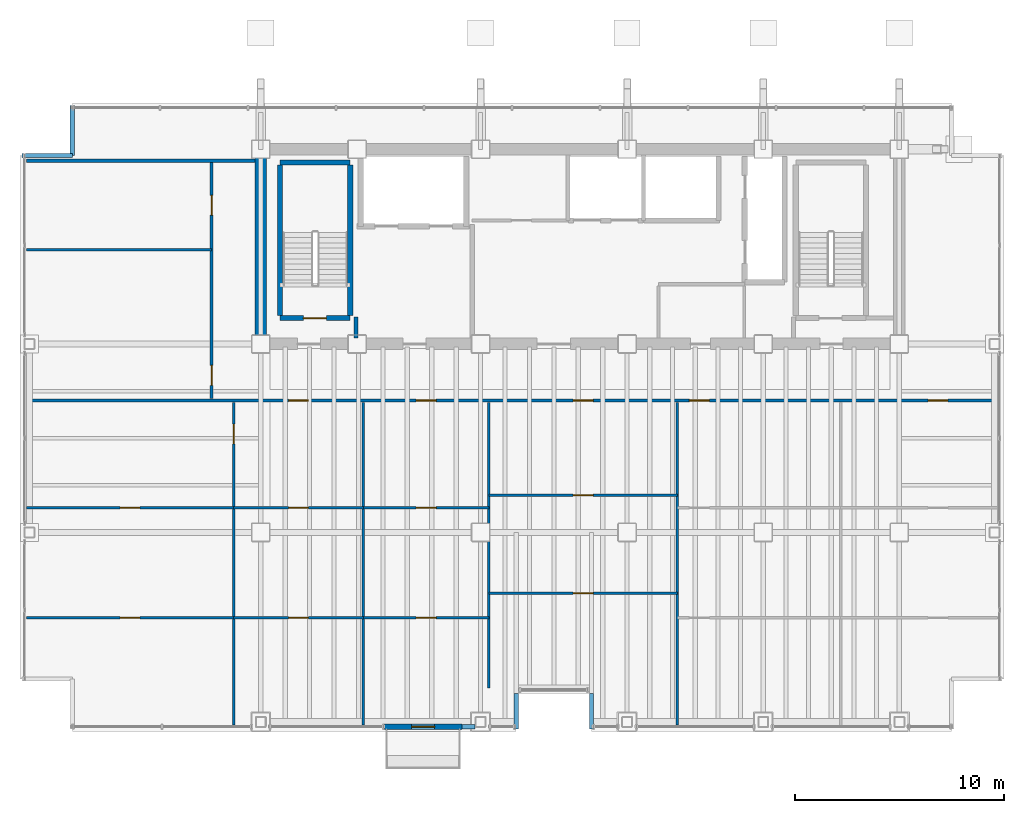
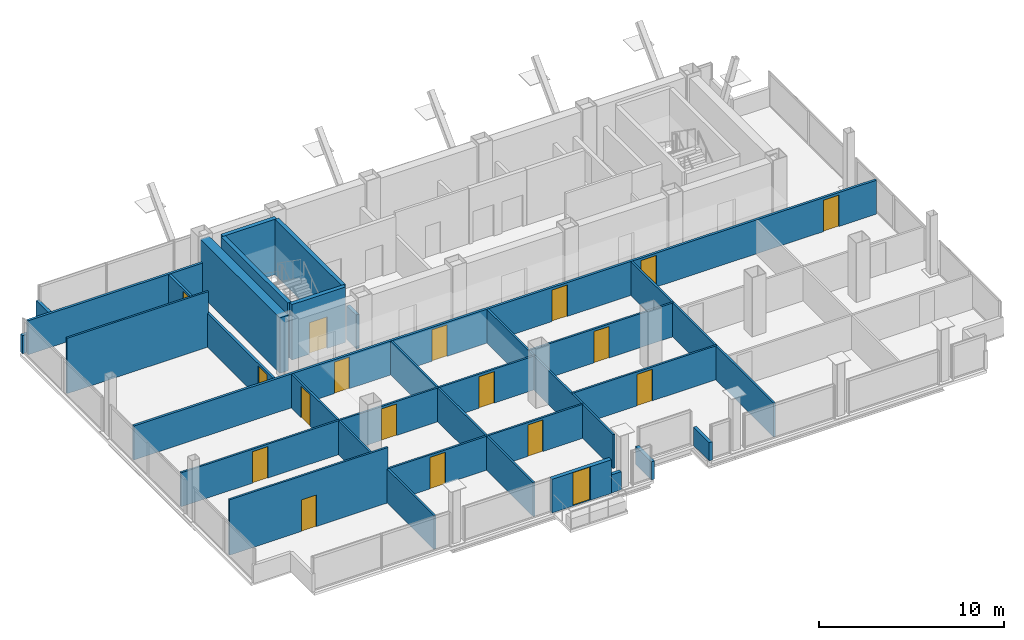
# One storey, part 19 of 22: 28 walls, 18 doors, 18 openings.
"""IFC4 building model written with IfcOpenShell, lengths in metres."""

from ifc_helpers import new_model, si_unit, direction, frame, frame_2d, origin, place, context, subcontext, project, spatial, rectangle, extrude, material, layer, layer_set, type_object, element, fill, save


model = new_model("IFC4")

# Units and contexts
model_context = context("Model", 3, precision=1e-05, world=origin(), true_north=direction((0.0, 1.0)))
body_context = subcontext(model_context, "Body", "Model", "MODEL_VIEW")
ifc_project = project(units=[si_unit("LENGTHUNIT", "METRE"), si_unit("AREAUNIT", "SQUARE_METRE"), si_unit("VOLUMEUNIT", "CUBIC_METRE"), si_unit("PLANEANGLEUNIT", "RADIAN"), si_unit("MASSUNIT", "GRAM", prefix="KILO")], contexts=[model_context])

# Site, building, storey
site_placement = place(None, origin())
site = spatial("IfcSite", under=ifc_project, at=site_placement, CompositionType="ELEMENT")
building_placement = place(site_placement, origin())
building = spatial("IfcBuilding", under=site, at=building_placement, Name="Noeulbin Bourse Tower", CompositionType="ELEMENT")
storey_placement = place(building_placement, frame((0.0, 0.0, 138.300048828125)))
storey = spatial("IfcBuildingStorey", under=building, at=storey_placement, Name="L34", CompositionType="ELEMENT", Elevation=138.300048828125)

# Wall
ifc_material_1 = material(Name="Concrete C60/75", Category="concrete")
ifc_layer_1 = layer(ifc_material_1, 0.550048828125)
ifc_layer_set_1 = layer_set([ifc_layer_1], Name="Concrete C60/75")
wall_type_1 = type_object("IfcWallType", Name="WAL-CORE-550", PredefinedType="SHEAR", material=ifc_layer_set_1)
wall_1_placement = place(storey_placement, frame((13.5, 29.35009765625, 0.0), z_axis=(0.0, 0.0, 1.0), x_axis=(0.0, 1.0, 0.0)))
element("IfcWall", 1, at=wall_1_placement, inside=storey, type_object=wall_type_1, Name="Rear Core West Shear Wall L34", PredefinedType="SHEAR", context=body_context, shape_type="SweptSolid", body=[
    extrude(rectangle(XDim=8.599853515625, YDim=0.550048828125, at=frame_2d((4.2998046875, 0.0))), origin(), (0.0, 0.0, 1.0), 3.659912109375),
])

# Wall, opening, door
ifc_material_2 = material(Name="Precast Concrete C40/50", Category="concrete")
ifc_layer_2 = layer(ifc_material_2, 0.25)
ifc_layer_set_2 = layer_set([ifc_layer_2], Name="Precast Concrete C40/50")
wall_type_2 = type_object("IfcWallType", Name="WAL-EXT-250", PredefinedType="STANDARD", material=ifc_layer_set_2)
wall_2_placement = place(storey_placement, frame((19.39990234375, 10.719970703125, 0.0), z_axis=(0.0, 0.0, 1.0), x_axis=(1.0, 0.0, 0.0)))
wall_2 = element("IfcWall", 2, at=wall_2_placement, inside=storey, type_object=wall_type_2, Name="Balcony Threshold Wall L34", PredefinedType="STANDARD", context=body_context, shape_type="SweptSolid", body=[
    extrude(rectangle(XDim=3.7001953125, YDim=0.25, at=frame_2d((1.85009765625, 0.0))), origin(), (0.0, 0.0, 1.0), 2.219970703125),
])
opening_1_placement = place(wall_2_placement, frame((1.300048828125, 0.0, 0.0)))
opening_1 = element("IfcOpeningElement", 3, at=opening_1_placement, cuts=wall_2, Name="Opening BD-11", PredefinedType="OPENING", context=body_context, shape_type="SweptSolid", body=[
    extrude(rectangle(XDim=1.10009765625, YDim=2.199951171875, at=frame_2d((0.550048828125, 1.10009765625))), frame((0.0, 0.135009765625, 0.0), z_axis=(0.0, -1.0, 0.0), x_axis=(1.0, 0.0, 0.0)), (0.0, 0.0, 1.0), 0.27001953125),
])
ifc_material_3 = material(Name="Thermally Broken Aluminium Framed Glass", Category="aluminium")
door_type_1 = type_object("IfcDoorType", Name="DR-BAL-1100", OperationType="SINGLE_SWING_LEFT", PredefinedType="DOOR", material=ifc_material_3)
door_1_placement = place(opening_1_placement, origin())
door_1 = element("IfcDoor", 4, at=door_1_placement, inside=storey, type_object=door_type_1, Name="Tree-Balcony Access Door BD-L34", OperationType="SINGLE_SWING_RIGHT", OverallHeight=2.199951171875, OverallWidth=1.10009765625, PredefinedType="DOOR", context=body_context, shape_type="SweptSolid", body=[
    extrude(rectangle(XDim=1.10009765625, YDim=2.199951171875, at=frame_2d((0.550048828125, 1.10009765625))), frame((0.0, 0.02490234375, 0.0), z_axis=(0.0, -1.0, 0.0), x_axis=(1.0, 0.0, 0.0)), (0.0, 0.0, 1.0), 0.050048828125),
])
fill(opening_1, door_1)

# Walls
ifc_material_4 = material(Name="Concrete C40/50", Category="concrete")
ifc_layer_3 = layer(ifc_material_4, 0.199951171875)
ifc_layer_set_3 = layer_set([ifc_layer_3], Name="Concrete C40/50")
wall_type_3 = type_object("IfcWallType", Name="WAL-FIRE-200", PredefinedType="STANDARD", material=ifc_layer_set_3)
wall_3_placement = place(storey_placement, frame((18.050048828125, 29.284912109375, 0.0), z_axis=(0.0, 0.0, 1.0), x_axis=(0.0, 1.0, 0.0)))
element("IfcWall", 5, at=wall_3_placement, inside=storey, type_object=wall_type_3, Name="Interior Partition Wall L34-19", PredefinedType="STANDARD", context=body_context, shape_type="SweptSolid", body=[
    extrude(rectangle(XDim=1.01513671875, YDim=0.199951171875, at=frame_2d((0.507568359375, 0.0))), origin(), (0.0, 0.0, 1.0), 2.239990234375),
])
ifc_layer_4 = layer(ifc_material_4, 0.199951171875)
ifc_layer_set_4 = layer_set([ifc_layer_4], Name="Concrete C40/50")
wall_type_4 = type_object("IfcWallType", Name="WAL-PAR-200", PredefinedType="PARAPET", material=ifc_layer_set_4)
wall_4_placement = place(storey_placement, frame((23.10009765625, 10.719970703125, 0.0), z_axis=(0.0, 0.0, 1.0), x_axis=(1.0, 0.0, 0.0)))
element("IfcWall", 6, at=wall_4_placement, inside=storey, type_object=wall_type_4, Name="Perimeter Pier Spandrel Parapet L34-S1", PredefinedType="PARAPET", context=body_context, shape_type="SweptSolid", body=[
    extrude(rectangle(XDim=0.6298828125, YDim=0.199951171875, at=frame_2d((0.31494140625, 0.0))), origin(), (0.0, 0.0, 1.0), 1.199951171875),
])
for number, where, z_axis, x_axis, name in (
    (7, (2.10009765625, 38.0, 0.0), (0.0, 0.0, 1.0), (1.0, 0.0, 0.0), "Corner Notch Parapet L34-NW1"),
    (8, (4.5, 38.0, 0.0), (0.0, 0.0, 1.0), (0.0, 1.0, 0.0), "Corner Notch Parapet L34-NW2"),
):
    element("IfcWall", number, at=place(storey_placement, frame(where, z_axis=z_axis, x_axis=x_axis)), inside=storey, type_object=wall_type_4, Name=name, PredefinedType="PARAPET", context=body_context, shape_type="SweptSolid", body=[
        extrude(rectangle(XDim=2.39990234375, YDim=0.199951171875, at=frame_2d((1.199951171875, 0.0))), origin(), (0.0, 0.0, 1.0), 1.199951171875),
    ])
for number, where, z_axis, x_axis, name in (
    (9, (25.699951171875, 10.60009765625, 0.0), (0.0, 0.0, 1.0), (0.0, 1.0, 0.0), "Sky-Garden Recess Parapet L34-W"),
    (10, (29.300048828125, 12.300048828125, 0.0), (0.0, 0.0, 1.0), (0.0, -1.0, 0.0), "Sky-Garden Recess Parapet L34-E"),
):
    element("IfcWall", number, at=place(storey_placement, frame(where, z_axis=z_axis, x_axis=x_axis)), inside=storey, type_object=wall_type_4, Name=name, PredefinedType="PARAPET", context=body_context, shape_type="SweptSolid", body=[
        extrude(rectangle(XDim=1.699951171875, YDim=0.199951171875, at=frame_2d((0.85009765625, 0.0))), origin(), (0.0, 0.0, 1.0), 1.199951171875),
    ])

# Wall, opening, door
ifc_material_5 = material(Name="Steel Stud Gypsum Partition", Category="steel")
ifc_layer_5 = layer(ifc_material_5, 0.1201171875)
ifc_layer_set_5 = layer_set([ifc_layer_5], Name="Steel Stud Gypsum Partition")
wall_type_5 = type_object("IfcWallType", Name="WAL-PRT-120", PredefinedType="PARTITIONING", material=ifc_layer_set_5)
wall_5_placement = place(storey_placement, frame((2.31005859375, 21.18798828125, 0.0), z_axis=(0.0, 0.0, 1.0), x_axis=(1.0, 0.0, 0.0)))
wall_5 = element("IfcWall", 11, at=wall_5_placement, inside=storey, type_object=wall_type_5, Name="Interior Partition Wall L34-06", PredefinedType="PARTITIONING", context=body_context, shape_type="SweptSolid", body=[
    extrude(rectangle(XDim=9.889892578125, YDim=0.1201171875, at=frame_2d((4.94482421875, 0.0))), origin(), (0.0, 0.0, 1.0), 2.239990234375),
])
opening_2_placement = place(wall_5_placement, frame((4.469970703125, 0.0, 0.0)))
opening_2 = element("IfcOpeningElement", 12, at=opening_2_placement, cuts=wall_5, Name="Opening ID-09", PredefinedType="OPENING", context=body_context, shape_type="SweptSolid", body=[
    extrude(rectangle(XDim=0.949951171875, YDim=2.080078125, at=frame_2d((0.47509765625, 1.0400390625))), frame((0.0, 0.070068359375, 0.0), z_axis=(0.0, -1.0, 0.0), x_axis=(1.0, 0.0, 0.0)), (0.0, 0.0, 1.0), 0.14013671875),
])
ifc_material_6 = material(Name="Acoustic Solid-Core Timber", Category="wood")
door_type_2 = type_object("IfcDoorType", Name="DR-SINGLE-950", OperationType="SINGLE_SWING_LEFT", PredefinedType="DOOR", material=ifc_material_6)
door_2_placement = place(opening_2_placement, origin())
door_2 = element("IfcDoor", 13, at=door_2_placement, inside=storey, type_object=door_type_2, Name="Interior Door L34-07", OperationType="SINGLE_SWING_RIGHT", OverallHeight=2.080078125, OverallWidth=0.949951171875, PredefinedType="DOOR", context=body_context, shape_type="SweptSolid", body=[
    extrude(rectangle(XDim=0.949951171875, YDim=2.080078125, at=frame_2d((0.47509765625, 1.0400390625))), frame((0.0, 0.02490234375, 0.0), z_axis=(0.0, -1.0, 0.0), x_axis=(1.0, 0.0, 0.0)), (0.0, 0.0, 1.0), 0.050048828125),
])
fill(opening_2, door_2)

wall_6_placement = place(storey_placement, frame((2.31005859375, 15.922119140625, 0.0), z_axis=(0.0, 0.0, 1.0), x_axis=(1.0, 0.0, 0.0)))
wall_6 = element("IfcWall", 14, at=wall_6_placement, inside=storey, type_object=wall_type_5, Name="Interior Partition Wall L34-07", PredefinedType="PARTITIONING", context=body_context, shape_type="SweptSolid", body=[
    extrude(rectangle(XDim=9.889892578125, YDim=0.1201171875, at=frame_2d((4.94482421875, 0.0))), origin(), (0.0, 0.0, 1.0), 3.659912109375),
])
opening_3_placement = place(wall_6_placement, frame((4.469970703125, 0.0, 0.0)))
opening_3 = element("IfcOpeningElement", 15, at=opening_3_placement, cuts=wall_6, Name="Opening ID-09", PredefinedType="OPENING", context=body_context, shape_type="SweptSolid", body=[
    extrude(rectangle(XDim=0.949951171875, YDim=2.080078125, at=frame_2d((0.47509765625, 1.0400390625))), frame((0.0, 0.070068359375, 0.0), z_axis=(0.0, -1.0, 0.0), x_axis=(1.0, 0.0, 0.0)), (0.0, 0.0, 1.0), 0.14013671875),
])
door_3_placement = place(opening_3_placement, origin())
door_3 = element("IfcDoor", 16, at=door_3_placement, inside=storey, type_object=door_type_2, Name="Interior Door L34-08", OperationType="SINGLE_SWING_LEFT", OverallHeight=2.080078125, OverallWidth=0.949951171875, PredefinedType="DOOR", context=body_context, shape_type="SweptSolid", body=[
    extrude(rectangle(XDim=0.949951171875, YDim=2.080078125, at=frame_2d((0.47509765625, 1.0400390625))), frame((0.0, 0.02490234375, 0.0), z_axis=(0.0, -1.0, 0.0), x_axis=(1.0, 0.0, 0.0)), (0.0, 0.0, 1.0), 0.050048828125),
])
fill(opening_3, door_3)

wall_7_placement = place(storey_placement, frame((12.199951171875, 21.18798828125, 0.0), z_axis=(0.0, 0.0, 1.0), x_axis=(1.0, 0.0, 0.0)))
wall_7 = element("IfcWall", 17, at=wall_7_placement, inside=storey, type_object=wall_type_5, Name="Interior Partition Wall L34-08", PredefinedType="PARTITIONING", context=body_context, shape_type="SweptSolid", body=[
    extrude(rectangle(XDim=6.199951171875, YDim=0.1201171875, at=frame_2d((3.10009765625, 0.0))), origin(), (0.0, 0.0, 1.0), 2.239990234375),
])
opening_4_placement = place(wall_7_placement, frame((2.625, 0.0, 0.0)))
opening_4 = element("IfcOpeningElement", 18, at=opening_4_placement, cuts=wall_7, Name="Opening ID-09", PredefinedType="OPENING", context=body_context, shape_type="SweptSolid", body=[
    extrude(rectangle(XDim=0.949951171875, YDim=2.080078125, at=frame_2d((0.47509765625, 1.0400390625))), frame((0.0, 0.070068359375, 0.0), z_axis=(0.0, -1.0, 0.0), x_axis=(1.0, 0.0, 0.0)), (0.0, 0.0, 1.0), 0.14013671875),
])
door_4_placement = place(opening_4_placement, origin())
door_4 = element("IfcDoor", 19, at=door_4_placement, inside=storey, type_object=door_type_2, Name="Interior Door L34-10", OperationType="SINGLE_SWING_LEFT", OverallHeight=2.080078125, OverallWidth=0.949951171875, PredefinedType="DOOR", context=body_context, shape_type="SweptSolid", body=[
    extrude(rectangle(XDim=0.949951171875, YDim=2.080078125, at=frame_2d((0.47509765625, 1.0400390625))), frame((0.0, 0.02490234375, 0.0), z_axis=(0.0, -1.0, 0.0), x_axis=(1.0, 0.0, 0.0)), (0.0, 0.0, 1.0), 0.050048828125),
])
fill(opening_4, door_4)

wall_8_placement = place(storey_placement, frame((12.199951171875, 15.922119140625, 0.0), z_axis=(0.0, 0.0, 1.0), x_axis=(1.0, 0.0, 0.0)))
wall_8 = element("IfcWall", 20, at=wall_8_placement, inside=storey, type_object=wall_type_5, Name="Interior Partition Wall L34-09", PredefinedType="PARTITIONING", context=body_context, shape_type="SweptSolid", body=[
    extrude(rectangle(XDim=6.199951171875, YDim=0.1201171875, at=frame_2d((3.10009765625, 0.0))), origin(), (0.0, 0.0, 1.0), 2.239990234375),
])
opening_5_placement = place(wall_8_placement, frame((2.625, 0.0, 0.0)))
opening_5 = element("IfcOpeningElement", 21, at=opening_5_placement, cuts=wall_8, Name="Opening ID-09", PredefinedType="OPENING", context=body_context, shape_type="SweptSolid", body=[
    extrude(rectangle(XDim=0.949951171875, YDim=2.080078125, at=frame_2d((0.47509765625, 1.0400390625))), frame((0.0, 0.070068359375, 0.0), z_axis=(0.0, -1.0, 0.0), x_axis=(1.0, 0.0, 0.0)), (0.0, 0.0, 1.0), 0.14013671875),
])
door_5_placement = place(opening_5_placement, origin())
door_5 = element("IfcDoor", 22, at=door_5_placement, inside=storey, type_object=door_type_2, Name="Interior Door L34-11", OperationType="SINGLE_SWING_RIGHT", OverallHeight=2.080078125, OverallWidth=0.949951171875, PredefinedType="DOOR", context=body_context, shape_type="SweptSolid", body=[
    extrude(rectangle(XDim=0.949951171875, YDim=2.080078125, at=frame_2d((0.47509765625, 1.0400390625))), frame((0.0, 0.02490234375, 0.0), z_axis=(0.0, -1.0, 0.0), x_axis=(1.0, 0.0, 0.0)), (0.0, 0.0, 1.0), 0.050048828125),
])
fill(opening_5, door_5)

wall_9_placement = place(storey_placement, frame((18.39990234375, 21.18798828125, 0.0), z_axis=(0.0, 0.0, 1.0), x_axis=(1.0, 0.0, 0.0)))
wall_9 = element("IfcWall", 23, at=wall_9_placement, inside=storey, type_object=wall_type_5, Name="Interior Partition Wall L34-10", PredefinedType="PARTITIONING", context=body_context, shape_type="SweptSolid", body=[
    extrude(rectangle(XDim=6.0, YDim=0.1201171875, at=frame_2d((3.0, 0.0))), origin(), (0.0, 0.0, 1.0), 2.239990234375),
])
opening_6_placement = place(wall_9_placement, frame((2.52490234375, 0.0, 0.0)))
opening_6 = element("IfcOpeningElement", 24, at=opening_6_placement, cuts=wall_9, Name="Opening ID-09", PredefinedType="OPENING", context=body_context, shape_type="SweptSolid", body=[
    extrude(rectangle(XDim=0.949951171875, YDim=2.080078125, at=frame_2d((0.47509765625, 1.0400390625))), frame((0.0, 0.070068359375, 0.0), z_axis=(0.0, -1.0, 0.0), x_axis=(1.0, 0.0, 0.0)), (0.0, 0.0, 1.0), 0.14013671875),
])
door_6_placement = place(opening_6_placement, origin())
door_6 = element("IfcDoor", 25, at=door_6_placement, inside=storey, type_object=door_type_2, Name="Interior Door L34-13", OperationType="SINGLE_SWING_RIGHT", OverallHeight=2.080078125, OverallWidth=0.949951171875, PredefinedType="DOOR", context=body_context, shape_type="SweptSolid", body=[
    extrude(rectangle(XDim=0.949951171875, YDim=2.080078125, at=frame_2d((0.47509765625, 1.0400390625))), frame((0.0, 0.02490234375, 0.0), z_axis=(0.0, -1.0, 0.0), x_axis=(1.0, 0.0, 0.0)), (0.0, 0.0, 1.0), 0.050048828125),
])
fill(opening_6, door_6)

wall_10_placement = place(storey_placement, frame((18.39990234375, 15.922119140625, 0.0), z_axis=(0.0, 0.0, 1.0), x_axis=(1.0, 0.0, 0.0)))
wall_10 = element("IfcWall", 26, at=wall_10_placement, inside=storey, type_object=wall_type_5, Name="Interior Partition Wall L34-11", PredefinedType="PARTITIONING", context=body_context, shape_type="SweptSolid", body=[
    extrude(rectangle(XDim=6.0, YDim=0.1201171875, at=frame_2d((3.0, 0.0))), origin(), (0.0, 0.0, 1.0), 2.239990234375),
])
opening_7_placement = place(wall_10_placement, frame((2.52490234375, 0.0, 0.0)))
opening_7 = element("IfcOpeningElement", 27, at=opening_7_placement, cuts=wall_10, Name="Opening ID-09", PredefinedType="OPENING", context=body_context, shape_type="SweptSolid", body=[
    extrude(rectangle(XDim=0.949951171875, YDim=2.080078125, at=frame_2d((0.47509765625, 1.0400390625))), frame((0.0, 0.070068359375, 0.0), z_axis=(0.0, -1.0, 0.0), x_axis=(1.0, 0.0, 0.0)), (0.0, 0.0, 1.0), 0.14013671875),
])
door_7_placement = place(opening_7_placement, origin())
door_7 = element("IfcDoor", 28, at=door_7_placement, inside=storey, type_object=door_type_2, Name="Interior Door L34-14", OperationType="SINGLE_SWING_LEFT", OverallHeight=2.080078125, OverallWidth=0.949951171875, PredefinedType="DOOR", context=body_context, shape_type="SweptSolid", body=[
    extrude(rectangle(XDim=0.949951171875, YDim=2.080078125, at=frame_2d((0.47509765625, 1.0400390625))), frame((0.0, 0.02490234375, 0.0), z_axis=(0.0, -1.0, 0.0), x_axis=(1.0, 0.0, 0.0)), (0.0, 0.0, 1.0), 0.050048828125),
])
fill(opening_7, door_7)

wall_11_placement = place(storey_placement, frame((24.39990234375, 21.76904296875, 0.0), z_axis=(0.0, 0.0, 1.0), x_axis=(1.0, 0.0, 0.0)))
wall_11 = element("IfcWall", 29, at=wall_11_placement, inside=storey, type_object=wall_type_5, Name="Interior Partition Wall L34-12", PredefinedType="PARTITIONING", context=body_context, shape_type="SweptSolid", body=[
    extrude(rectangle(XDim=9.0, YDim=0.1201171875, at=frame_2d((4.5, 0.0))), origin(), (0.0, 0.0, 1.0), 2.239990234375),
])
opening_8_placement = place(wall_11_placement, frame((4.02490234375, 0.0, 0.0)))
opening_8 = element("IfcOpeningElement", 30, at=opening_8_placement, cuts=wall_11, Name="Opening ID-09", PredefinedType="OPENING", context=body_context, shape_type="SweptSolid", body=[
    extrude(rectangle(XDim=0.949951171875, YDim=2.080078125, at=frame_2d((0.47509765625, 1.0400390625))), frame((0.0, 0.070068359375, 0.0), z_axis=(0.0, -1.0, 0.0), x_axis=(1.0, 0.0, 0.0)), (0.0, 0.0, 1.0), 0.14013671875),
])
door_8_placement = place(opening_8_placement, origin())
door_8 = element("IfcDoor", 31, at=door_8_placement, inside=storey, type_object=door_type_2, Name="Interior Door L34-16", OperationType="SINGLE_SWING_LEFT", OverallHeight=2.080078125, OverallWidth=0.949951171875, PredefinedType="DOOR", context=body_context, shape_type="SweptSolid", body=[
    extrude(rectangle(XDim=0.949951171875, YDim=2.080078125, at=frame_2d((0.47509765625, 1.0400390625))), frame((0.0, 0.02490234375, 0.0), z_axis=(0.0, -1.0, 0.0), x_axis=(1.0, 0.0, 0.0)), (0.0, 0.0, 1.0), 0.050048828125),
])
fill(opening_8, door_8)

wall_12_placement = place(storey_placement, frame((24.39990234375, 17.10107421875, 0.0), z_axis=(0.0, 0.0, 1.0), x_axis=(1.0, 0.0, 0.0)))
wall_12 = element("IfcWall", 32, at=wall_12_placement, inside=storey, type_object=wall_type_5, Name="Interior Partition Wall L34-13", PredefinedType="PARTITIONING", context=body_context, shape_type="SweptSolid", body=[
    extrude(rectangle(XDim=9.0, YDim=0.1201171875, at=frame_2d((4.5, 0.0))), origin(), (0.0, 0.0, 1.0), 2.239990234375),
])
opening_9_placement = place(wall_12_placement, frame((4.02490234375, 0.0, 0.0)))
opening_9 = element("IfcOpeningElement", 33, at=opening_9_placement, cuts=wall_12, Name="Opening ID-09", PredefinedType="OPENING", context=body_context, shape_type="SweptSolid", body=[
    extrude(rectangle(XDim=0.949951171875, YDim=2.080078125, at=frame_2d((0.47509765625, 1.0400390625))), frame((0.0, 0.070068359375, 0.0), z_axis=(0.0, -1.0, 0.0), x_axis=(1.0, 0.0, 0.0)), (0.0, 0.0, 1.0), 0.14013671875),
])
door_9_placement = place(opening_9_placement, origin())
door_9 = element("IfcDoor", 34, at=door_9_placement, inside=storey, type_object=door_type_2, Name="Interior Door L34-17", OperationType="SINGLE_SWING_RIGHT", OverallHeight=2.080078125, OverallWidth=0.949951171875, PredefinedType="DOOR", context=body_context, shape_type="SweptSolid", body=[
    extrude(rectangle(XDim=0.949951171875, YDim=2.080078125, at=frame_2d((0.47509765625, 1.0400390625))), frame((0.0, 0.02490234375, 0.0), z_axis=(0.0, -1.0, 0.0), x_axis=(1.0, 0.0, 0.0)), (0.0, 0.0, 1.0), 0.050048828125),
])
fill(opening_9, door_9)

# Wall
wall_13_placement = place(storey_placement, frame((2.31005859375, 33.5, 0.0), z_axis=(0.0, 0.0, 1.0), x_axis=(1.0, 0.0, 0.0)))
element("IfcWall", 35, at=wall_13_placement, inside=storey, type_object=wall_type_5, Name="Interior Partition Wall L34-18", PredefinedType="PARTITIONING", context=body_context, shape_type="SweptSolid", body=[
    extrude(rectangle(XDim=8.83984375, YDim=0.1201171875, at=frame_2d((4.419921875, 0.0))), origin(), (0.0, 0.0, 1.0), 3.659912109375),
])

# Wall, opening, door
wall_14_placement = place(storey_placement, frame((12.199951171875, 10.81005859375, 0.0), z_axis=(0.0, 0.0, 1.0), x_axis=(0.0, 1.0, 0.0)))
wall_14 = element("IfcWall", 36, at=wall_14_placement, inside=storey, type_object=wall_type_5, Name="Interior Partition Wall L34-25", PredefinedType="PARTITIONING", context=body_context, shape_type="SweptSolid", body=[
    extrude(rectangle(XDim=15.405029296875, YDim=0.1201171875, at=frame_2d((7.70263671875, 0.0))), origin(), (0.0, 0.0, 1.0), 2.239990234375),
])
opening_10_placement = place(wall_14_placement, frame((13.4150390625, 0.0, 0.0)))
opening_10 = element("IfcOpeningElement", 37, at=opening_10_placement, cuts=wall_14, Name="Opening ID-09", PredefinedType="OPENING", context=body_context, shape_type="SweptSolid", body=[
    extrude(rectangle(XDim=0.949951171875, YDim=2.080078125, at=frame_2d((0.47509765625, 1.0400390625))), frame((0.0, 0.070068359375, 0.0), z_axis=(0.0, -1.0, 0.0), x_axis=(1.0, 0.0, 0.0)), (0.0, 0.0, 1.0), 0.14013671875),
])
door_10_placement = place(opening_10_placement, origin())
door_10 = element("IfcDoor", 38, at=door_10_placement, inside=storey, type_object=door_type_2, Name="Interior Door L34-09", OperationType="SINGLE_SWING_RIGHT", OverallHeight=2.080078125, OverallWidth=0.949951171875, PredefinedType="DOOR", context=body_context, shape_type="SweptSolid", body=[
    extrude(rectangle(XDim=0.949951171875, YDim=2.080078125, at=frame_2d((0.47509765625, 1.0400390625))), frame((0.0, 0.02490234375, 0.0), z_axis=(0.0, -1.0, 0.0), x_axis=(1.0, 0.0, 0.0)), (0.0, 0.0, 1.0), 0.050048828125),
])
fill(opening_10, door_10)

# Walls
wall_15_placement = place(storey_placement, frame((18.39990234375, 10.81005859375, 0.0), z_axis=(0.0, 0.0, 1.0), x_axis=(0.0, 1.0, 0.0)))
element("IfcWall", 39, at=wall_15_placement, inside=storey, type_object=wall_type_5, Name="Interior Partition Wall L34-26", PredefinedType="PARTITIONING", context=body_context, shape_type="SweptSolid", body=[
    extrude(rectangle(XDim=15.405029296875, YDim=0.1201171875, at=frame_2d((7.70263671875, 0.0))), origin(), (0.0, 0.0, 1.0), 2.239990234375),
])
wall_16_placement = place(storey_placement, frame((24.39990234375, 12.570068359375, 0.0), z_axis=(0.0, 0.0, 1.0), x_axis=(0.0, 1.0, 0.0)))
element("IfcWall", 40, at=wall_16_placement, inside=storey, type_object=wall_type_5, Name="Interior Partition Wall L34-27", PredefinedType="PARTITIONING", context=body_context, shape_type="SweptSolid", body=[
    extrude(rectangle(XDim=13.64501953125, YDim=0.1201171875, at=frame_2d((6.822509765625, 0.0))), origin(), (0.0, 0.0, 1.0), 2.239990234375),
])
wall_17_placement = place(storey_placement, frame((33.39990234375, 10.81005859375, 0.0), z_axis=(0.0, 0.0, 1.0), x_axis=(0.0, 1.0, 0.0)))
element("IfcWall", 41, at=wall_17_placement, inside=storey, type_object=wall_type_5, Name="Interior Partition Wall L34-28", PredefinedType="PARTITIONING", context=body_context, shape_type="SweptSolid", body=[
    extrude(rectangle(XDim=15.405029296875, YDim=0.1201171875, at=frame_2d((7.70263671875, 0.0))), origin(), (0.0, 0.0, 1.0), 2.239990234375),
])

# Wall, openings, doors
ifc_material_7 = material(Name="Steel Stud Acoustic Gypsum Board", Category="steel")
ifc_layer_6 = layer(ifc_material_7, 0.14990234375)
ifc_layer_set_6 = layer_set([ifc_layer_6], Name="Steel Stud Acoustic Gypsum Board")
wall_type_6 = type_object("IfcWallType", Name="WAL-PRT-150", PredefinedType="PARTITIONING", material=ifc_layer_set_6)
wall_18_placement = place(storey_placement, frame((2.31005859375, 26.300048828125, 0.0), z_axis=(0.0, 0.0, 1.0), x_axis=(1.0, 0.0, 0.0)))
wall_18 = element("IfcWall", 42, at=wall_18_placement, inside=storey, type_object=wall_type_6, Name="Interior Partition Wall L34-04", PredefinedType="PARTITIONING", context=body_context, shape_type="SweptSolid", body=[
    extrude(rectangle(XDim=46.3798828125, YDim=0.14990234375, at=frame_2d((23.18994140625, 0.0))), origin(), (0.0, 0.0, 1.0), 2.239990234375),
])
opening_11_placement = place(wall_18_placement, frame((12.514892578125, 0.0, 0.0)))
opening_11 = element("IfcOpeningElement", 43, at=opening_11_placement, cuts=wall_18, Name="Opening ID-09", PredefinedType="OPENING", context=body_context, shape_type="SweptSolid", body=[
    extrude(rectangle(XDim=0.949951171875, YDim=2.080078125, at=frame_2d((0.47509765625, 1.0400390625))), frame((0.0, 0.0849609375, 0.0), z_axis=(0.0, -1.0, 0.0), x_axis=(1.0, 0.0, 0.0)), (0.0, 0.0, 1.0), 0.169921875),
])
opening_12_placement = place(wall_18_placement, frame((18.614990234375, 0.0, 0.0)))
opening_12 = element("IfcOpeningElement", 44, at=opening_12_placement, cuts=wall_18, Name="Opening ID-09", PredefinedType="OPENING", context=body_context, shape_type="SweptSolid", body=[
    extrude(rectangle(XDim=0.949951171875, YDim=2.080078125, at=frame_2d((0.47509765625, 1.0400390625))), frame((0.0, 0.0849609375, 0.0), z_axis=(0.0, -1.0, 0.0), x_axis=(1.0, 0.0, 0.0)), (0.0, 0.0, 1.0), 0.169921875),
])
opening_13_placement = place(wall_18_placement, frame((26.114990234375, 0.0, 0.0)))
opening_13 = element("IfcOpeningElement", 45, at=opening_13_placement, cuts=wall_18, Name="Opening ID-09", PredefinedType="OPENING", context=body_context, shape_type="SweptSolid", body=[
    extrude(rectangle(XDim=0.949951171875, YDim=2.080078125, at=frame_2d((0.47509765625, 1.0400390625))), frame((0.0, 0.0849609375, 0.0), z_axis=(0.0, -1.0, 0.0), x_axis=(1.0, 0.0, 0.0)), (0.0, 0.0, 1.0), 0.169921875),
])
opening_14_placement = place(wall_18_placement, frame((31.6650390625, 0.0, 0.0)))
opening_14 = element("IfcOpeningElement", 46, at=opening_14_placement, cuts=wall_18, Name="Opening ID-09", PredefinedType="OPENING", context=body_context, shape_type="SweptSolid", body=[
    extrude(rectangle(XDim=0.949951171875, YDim=2.080078125, at=frame_2d((0.47509765625, 1.0400390625))), frame((0.0, 0.0849609375, 0.0), z_axis=(0.0, -1.0, 0.0), x_axis=(1.0, 0.0, 0.0)), (0.0, 0.0, 1.0), 0.169921875),
])
opening_15_placement = place(wall_18_placement, frame((43.06005859375, 0.0, 0.0)))
opening_15 = element("IfcOpeningElement", 47, at=opening_15_placement, cuts=wall_18, Name="Opening ID-09", PredefinedType="OPENING", context=body_context, shape_type="SweptSolid", body=[
    extrude(rectangle(XDim=0.949951171875, YDim=2.080078125, at=frame_2d((0.47509765625, 1.0400390625))), frame((0.0, 0.0849609375, 0.0), z_axis=(0.0, -1.0, 0.0), x_axis=(1.0, 0.0, 0.0)), (0.0, 0.0, 1.0), 0.169921875),
])
door_11_placement = place(opening_11_placement, origin())
door_11 = element("IfcDoor", 48, at=door_11_placement, inside=storey, type_object=door_type_2, Name="Interior Door L34-12", OperationType="SINGLE_SWING_LEFT", OverallHeight=2.080078125, OverallWidth=0.949951171875, PredefinedType="DOOR", context=body_context, shape_type="SweptSolid", body=[
    extrude(rectangle(XDim=0.949951171875, YDim=2.080078125, at=frame_2d((0.47509765625, 1.0400390625))), frame((0.0, 0.02490234375, 0.0), z_axis=(0.0, -1.0, 0.0), x_axis=(1.0, 0.0, 0.0)), (0.0, 0.0, 1.0), 0.050048828125),
])
fill(opening_11, door_11)
door_12_placement = place(opening_12_placement, origin())
door_12 = element("IfcDoor", 49, at=door_12_placement, inside=storey, type_object=door_type_2, Name="Interior Door L34-15", OperationType="SINGLE_SWING_RIGHT", OverallHeight=2.080078125, OverallWidth=0.949951171875, PredefinedType="DOOR", context=body_context, shape_type="SweptSolid", body=[
    extrude(rectangle(XDim=0.949951171875, YDim=2.080078125, at=frame_2d((0.47509765625, 1.0400390625))), frame((0.0, 0.02490234375, 0.0), z_axis=(0.0, -1.0, 0.0), x_axis=(1.0, 0.0, 0.0)), (0.0, 0.0, 1.0), 0.050048828125),
])
fill(opening_12, door_12)
door_13_placement = place(opening_13_placement, origin())
door_13 = element("IfcDoor", 50, at=door_13_placement, inside=storey, type_object=door_type_2, Name="Interior Door L34-18", OperationType="SINGLE_SWING_LEFT", OverallHeight=2.080078125, OverallWidth=0.949951171875, PredefinedType="DOOR", context=body_context, shape_type="SweptSolid", body=[
    extrude(rectangle(XDim=0.949951171875, YDim=2.080078125, at=frame_2d((0.47509765625, 1.0400390625))), frame((0.0, 0.02490234375, 0.0), z_axis=(0.0, -1.0, 0.0), x_axis=(1.0, 0.0, 0.0)), (0.0, 0.0, 1.0), 0.050048828125),
])
fill(opening_13, door_13)
door_14_placement = place(opening_14_placement, origin())
door_14 = element("IfcDoor", 51, at=door_14_placement, inside=storey, type_object=door_type_2, Name="Interior Door L34-21", OperationType="SINGLE_SWING_RIGHT", OverallHeight=2.080078125, OverallWidth=0.949951171875, PredefinedType="DOOR", context=body_context, shape_type="SweptSolid", body=[
    extrude(rectangle(XDim=0.949951171875, YDim=2.080078125, at=frame_2d((0.47509765625, 1.0400390625))), frame((0.0, 0.02490234375, 0.0), z_axis=(0.0, -1.0, 0.0), x_axis=(1.0, 0.0, 0.0)), (0.0, 0.0, 1.0), 0.050048828125),
])
fill(opening_14, door_14)
door_15_placement = place(opening_15_placement, origin())
door_15 = element("IfcDoor", 52, at=door_15_placement, inside=storey, type_object=door_type_2, Name="Interior Door L34-24", OperationType="SINGLE_SWING_LEFT", OverallHeight=2.080078125, OverallWidth=0.949951171875, PredefinedType="DOOR", context=body_context, shape_type="SweptSolid", body=[
    extrude(rectangle(XDim=0.949951171875, YDim=2.080078125, at=frame_2d((0.47509765625, 1.0400390625))), frame((0.0, 0.02490234375, 0.0), z_axis=(0.0, -1.0, 0.0), x_axis=(1.0, 0.0, 0.0)), (0.0, 0.0, 1.0), 0.050048828125),
])
fill(opening_15, door_15)

# Wall
wall_19_placement = place(storey_placement, frame((2.31005859375, 37.75, 0.0), z_axis=(0.0, 0.0, 1.0), x_axis=(1.0, 0.0, 0.0)))
element("IfcWall", 53, at=wall_19_placement, inside=storey, type_object=wall_type_6, Name="Interior Partition Wall L34-05", PredefinedType="PARTITIONING", context=body_context, shape_type="SweptSolid", body=[
    extrude(rectangle(XDim=10.905029296875, YDim=0.14990234375, at=frame_2d((5.45263671875, 0.0))), origin(), (0.0, 0.0, 1.0), 2.239990234375),
])

# Wall, openings, doors
wall_20_placement = place(storey_placement, frame((11.14990234375, 26.385009765625, 0.0), z_axis=(0.0, 0.0, 1.0), x_axis=(0.0, 1.0, 0.0)))
wall_20 = element("IfcWall", 54, at=wall_20_placement, inside=storey, type_object=wall_type_6, Name="Interior Partition Wall L34-24", PredefinedType="PARTITIONING", context=body_context, shape_type="SweptSolid", body=[
    extrude(rectangle(XDim=11.280029296875, YDim=0.14990234375, at=frame_2d((5.64013671875, 0.0))), origin(), (0.0, 0.0, 1.0), 2.239990234375),
])
opening_16_placement = place(wall_20_placement, frame((0.639892578125, 0.0, 0.0)))
opening_16 = element("IfcOpeningElement", 55, at=opening_16_placement, cuts=wall_20, Name="Opening ID-09", PredefinedType="OPENING", context=body_context, shape_type="SweptSolid", body=[
    extrude(rectangle(XDim=0.949951171875, YDim=2.080078125, at=frame_2d((0.47509765625, 1.0400390625))), frame((0.0, 0.0849609375, 0.0), z_axis=(0.0, -1.0, 0.0), x_axis=(1.0, 0.0, 0.0)), (0.0, 0.0, 1.0), 0.169921875),
])
opening_17_placement = place(wall_20_placement, frame((8.764892578125, 0.0, 0.0)))
opening_17 = element("IfcOpeningElement", 56, at=opening_17_placement, cuts=wall_20, Name="Opening ID-09", PredefinedType="OPENING", context=body_context, shape_type="SweptSolid", body=[
    extrude(rectangle(XDim=0.949951171875, YDim=2.080078125, at=frame_2d((0.47509765625, 1.0400390625))), frame((0.0, 0.0849609375, 0.0), z_axis=(0.0, -1.0, 0.0), x_axis=(1.0, 0.0, 0.0)), (0.0, 0.0, 1.0), 0.169921875),
])
door_16_placement = place(opening_16_placement, origin())
door_16 = element("IfcDoor", 57, at=door_16_placement, inside=storey, type_object=door_type_2, Name="Interior Door L34-25", OperationType="SINGLE_SWING_RIGHT", OverallHeight=2.080078125, OverallWidth=0.949951171875, PredefinedType="DOOR", context=body_context, shape_type="SweptSolid", body=[
    extrude(rectangle(XDim=0.949951171875, YDim=2.080078125, at=frame_2d((0.47509765625, 1.0400390625))), frame((0.0, 0.02490234375, 0.0), z_axis=(0.0, -1.0, 0.0), x_axis=(1.0, 0.0, 0.0)), (0.0, 0.0, 1.0), 0.050048828125),
])
fill(opening_16, door_16)
door_17_placement = place(opening_17_placement, origin())
door_17 = element("IfcDoor", 58, at=door_17_placement, inside=storey, type_object=door_type_2, Name="Interior Door L34-26", OperationType="SINGLE_SWING_LEFT", OverallHeight=2.080078125, OverallWidth=0.949951171875, PredefinedType="DOOR", context=body_context, shape_type="SweptSolid", body=[
    extrude(rectangle(XDim=0.949951171875, YDim=2.080078125, at=frame_2d((0.47509765625, 1.0400390625))), frame((0.0, 0.02490234375, 0.0), z_axis=(0.0, -1.0, 0.0), x_axis=(1.0, 0.0, 0.0)), (0.0, 0.0, 1.0), 0.050048828125),
])
fill(opening_17, door_17)

# Wall, opening, door
ifc_layer_7 = layer(ifc_material_4, 0.25)
ifc_layer_set_7 = layer_set([ifc_layer_7], Name="Concrete C40/50")
wall_type_7 = type_object("IfcWallType", Name="WAL-SHFT-250", PredefinedType="STANDARD", material=ifc_layer_set_7)
wall_21_placement = place(storey_placement, frame((14.429931640625, 30.235107421875, 0.0), z_axis=(0.0, 0.0, 1.0), x_axis=(1.0, 0.0, 0.0)))
wall_21 = element("IfcWall", 59, at=wall_21_placement, inside=storey, type_object=wall_type_7, Name="Stair ST-1 South Shaft Wall L34", PredefinedType="STANDARD", context=body_context, shape_type="SweptSolid", body=[
    extrude(rectangle(XDim=3.340087890625, YDim=0.25, at=frame_2d((1.669921875, 0.0))), origin(), (0.0, 0.0, 1.0), 3.659912109375),
])
opening_18_placement = place(wall_21_placement, frame((1.10009765625, 0.0, 0.0)))
opening_18 = element("IfcOpeningElement", 60, at=opening_18_placement, cuts=wall_21, Name="Opening FD-11", PredefinedType="OPENING", context=body_context, shape_type="SweptSolid", body=[
    extrude(rectangle(XDim=1.10009765625, YDim=2.080078125, at=frame_2d((0.550048828125, 1.0400390625))), frame((0.0, 0.135009765625, 0.0), z_axis=(0.0, -1.0, 0.0), x_axis=(1.0, 0.0, 0.0)), (0.0, 0.0, 1.0), 0.27001953125),
])
ifc_material_8 = material(Name="Fire-Rated Insulated Steel", Category="steel")
door_type_3 = type_object("IfcDoorType", Name="DR-FD60-1100", OperationType="SINGLE_SWING_LEFT", PredefinedType="DOOR", material=ifc_material_8)
door_18_placement = place(opening_18_placement, origin())
door_18 = element("IfcDoor", 61, at=door_18_placement, inside=storey, type_object=door_type_3, Name="Protected Stair Entry Door ST1-L34", OperationType="SINGLE_SWING_RIGHT", OverallHeight=2.080078125, OverallWidth=1.10009765625, PredefinedType="DOOR", context=body_context, shape_type="SweptSolid", body=[
    extrude(rectangle(XDim=1.10009765625, YDim=2.080078125, at=frame_2d((0.550048828125, 1.0400390625))), frame((0.0, 0.02490234375, 0.0), z_axis=(0.0, -1.0, 0.0), x_axis=(1.0, 0.0, 0.0)), (0.0, 0.0, 1.0), 0.050048828125),
])
fill(opening_18, door_18)

# Walls
wall_22_placement = place(storey_placement, frame((14.429931640625, 37.6689453125, 0.0), z_axis=(0.0, 0.0, 1.0), x_axis=(1.0, 0.0, 0.0)))
element("IfcWall", 62, at=wall_22_placement, inside=storey, type_object=wall_type_7, Name="Stair ST-1 North Shaft Wall L34", PredefinedType="STANDARD", context=body_context, shape_type="SweptSolid", body=[
    extrude(rectangle(XDim=3.340087890625, YDim=0.25, at=frame_2d((1.669921875, 0.0))), origin(), (0.0, 0.0, 1.0), 3.659912109375),
])
for number, where, z_axis, x_axis, name in (
    (63, (14.425048828125, 30.360107421875, 0.0), (0.0, 0.0, 1.0), (0.0, 1.0, 0.0), "Stair ST-1 West Shaft Wall L34"),
    (64, (17.77490234375, 30.360107421875, 0.0), (0.0, 0.0, 1.0), (0.0, 1.0, 0.0), "Stair ST-1 East Shaft Wall L34"),
):
    element("IfcWall", number, at=place(storey_placement, frame(where, z_axis=z_axis, x_axis=x_axis)), inside=storey, type_object=wall_type_7, Name=name, PredefinedType="STANDARD", context=body_context, shape_type="SweptSolid", body=[
        extrude(rectangle(XDim=7.183837890625, YDim=0.25, at=frame_2d((3.591796875, 0.0))), origin(), (0.0, 0.0, 1.0), 3.659912109375),
    ])

save(model, "model.ifc")
